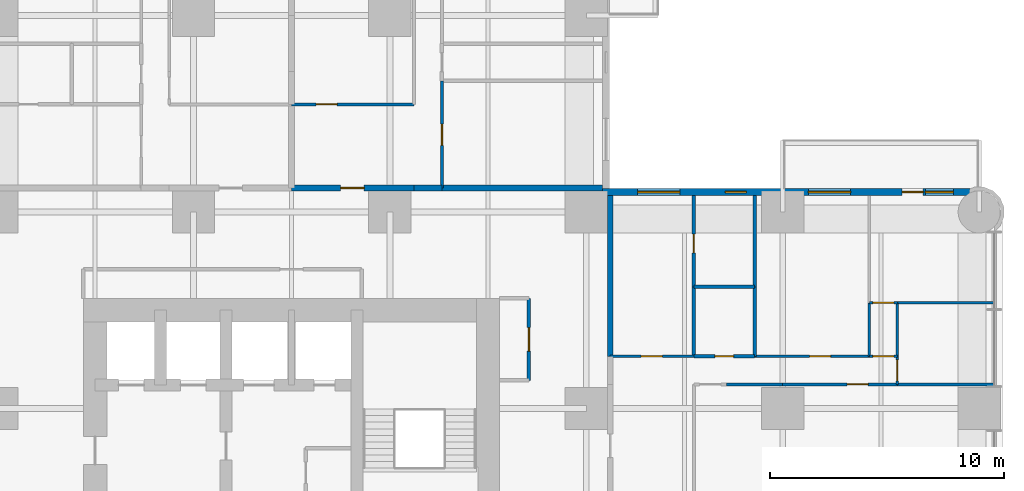
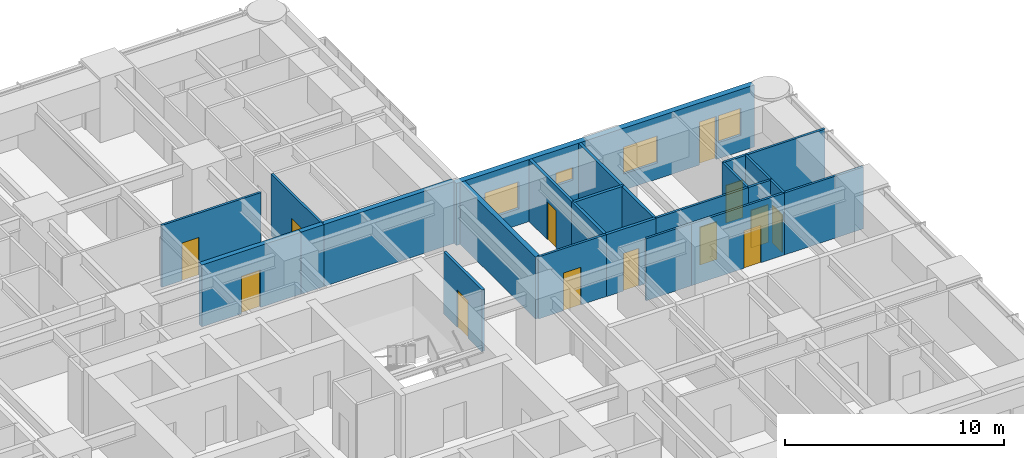
# One storey, part 14 of 17: 25 walls, 13 doors, 4 windows, 17 openings.
"""IFC4 building model written with IfcOpenShell, lengths in metres."""

from ifc_helpers import new_model, si_unit, direction, frame, frame_2d, origin, place, context, subcontext, project, spatial, rectangle, extrude, material, layer, layer_set, type_object, element, fill, save


model = new_model("IFC4")

# Units and contexts
model_context = context("Model", 3, precision=1e-05, world=origin(), true_north=direction((0.0, 1.0)))
body_context = subcontext(model_context, "Body", "Model", "MODEL_VIEW")
ifc_project = project(units=[si_unit("LENGTHUNIT", "METRE"), si_unit("AREAUNIT", "SQUARE_METRE"), si_unit("VOLUMEUNIT", "CUBIC_METRE"), si_unit("PLANEANGLEUNIT", "RADIAN"), si_unit("MASSUNIT", "GRAM", prefix="KILO")], contexts=[model_context])

# Site, building, storey
site_placement = place(None, origin())
site = spatial("IfcSite", under=ifc_project, at=site_placement, CompositionType="ELEMENT")
building_placement = place(site_placement, origin())
building = spatial("IfcBuilding", under=site, at=building_placement, Name="Torre Alcanfor", CompositionType="ELEMENT")
storey_placement = place(building_placement, frame((0.0, 0.0, 48.89990234375)))
storey = spatial("IfcBuildingStorey", under=building, at=storey_placement, Name="L11", CompositionType="ELEMENT", Elevation=48.89990234375)

# Wall, opening, door
ifc_material_1 = material(Name="Concrete block masonry, hollow blocks NMX-C-404 9 MPa", Category="masonry")
ifc_layer_1 = layer(ifc_material_1, 0.25)
ifc_layer_set_1 = layer_set([ifc_layer_1], Name="Apartment entrance wall 250 EI 60")
wall_type_1 = type_object("IfcWallType", Name="Apartment entrance wall 250 EI 60", PredefinedType="PARTITIONING", material=ifc_layer_set_1)
wall_1_placement = place(storey_placement, frame((29.39990234375, 43.02490234375, 0.0), z_axis=(0.0, 0.0, 1.0), x_axis=(1.0, 0.0, 0.0)))
wall_1 = element("IfcWall", 1, at=wall_1_placement, inside=storey, type_object=wall_type_1, Name="Partition L11-CORR / L11-N2-ZAG", PredefinedType="PARTITIONING", context=body_context, shape_type="SweptSolid", body=[
    extrude(rectangle(XDim=5.22900390625, YDim=0.25, at=frame_2d((2.614501953125, 0.0))), origin(), (0.0, 0.0, 1.0), 3.4501953125),
])
opening_1_placement = place(wall_1_placement, frame((2.10009765625, 0.0, 0.0)))
opening_1 = element("IfcOpeningElement", 2, at=opening_1_placement, cuts=wall_1, Name="Opening D-A1", PredefinedType="OPENING", context=body_context, shape_type="SweptSolid", body=[
    extrude(rectangle(XDim=1.0, YDim=2.10009765625, at=frame_2d((0.5, 1.050048828125))), frame((0.0, 0.135009765625, 0.0), z_axis=(0.0, -1.0, 0.0), x_axis=(1.0, 0.0, 0.0)), (0.0, 0.0, 1.0), 0.27001953125),
])
ifc_material_2 = material(Name="Galvanised steel sheet ASTM A653", Category="steel")
door_type_1 = type_object("IfcDoorType", Name="Apartment entrance door FD60 1000x2100", OperationType="SINGLE_SWING_LEFT", PredefinedType="DOOR", material=ifc_material_2)
door_1_placement = place(opening_1_placement, origin())
door_1 = element("IfcDoor", 3, at=door_1_placement, inside=storey, type_object=door_type_1, Name="Apartment entrance L11-N2", OperationType="SINGLE_SWING_LEFT", OverallHeight=2.10009765625, OverallWidth=1.0, PredefinedType="DOOR", context=body_context, shape_type="SweptSolid", body=[
    extrude(rectangle(XDim=1.0, YDim=2.10009765625, at=frame_2d((0.5, 1.050048828125))), frame((0.0, 0.02490234375, 0.0), z_axis=(0.0, -1.0, 0.0), x_axis=(1.0, 0.0, 0.0)), (0.0, 0.0, 1.0), 0.050048828125),
])
fill(opening_1, door_1)

# Walls
wall_2_placement = place(storey_placement, frame((34.62890625, 43.02490234375, 0.0), z_axis=(0.0, 0.0, 1.0), x_axis=(1.0, 0.0, 0.0)))
element("IfcWall", 4, at=wall_2_placement, inside=storey, type_object=wall_type_1, Name="Partition L11-CORR / L11-N2-HALL", PredefinedType="PARTITIONING", context=body_context, shape_type="SweptSolid", body=[
    extrude(rectangle(XDim=1.2001953125, YDim=0.25, at=frame_2d((0.60009765625, 0.0))), origin(), (0.0, 0.0, 1.0), 3.4501953125),
])
for number, where, z_axis, x_axis, name in (
    (5, (35.8291015625, 43.02490234375, 0.0), (0.0, 0.0, 1.0), (1.0, 0.0, 0.0), "Partition L11-CORR / L11-N2-BED3"),
    (6, (43.02490234375, 42.699951171875, 0.0), (0.0, 0.0, 1.0), (0.0, -1.0, 0.0), "Partition L11-CORR / L11-E1-SERV"),
):
    element("IfcWall", number, at=place(storey_placement, frame(where, z_axis=z_axis, x_axis=x_axis)), inside=storey, type_object=wall_type_1, Name=name, PredefinedType="PARTITIONING", context=body_context, shape_type="SweptSolid", body=[
        extrude(rectangle(XDim=6.870849609375, YDim=0.25, at=frame_2d((3.435546875, 0.0))), origin(), (0.0, 0.0, 1.0), 3.4501953125),
    ])

# Wall, opening, door
ifc_material_3 = material(Name="Gypsum board on steel studs", Category="steel")
ifc_layer_2 = layer(ifc_material_3, 0.1201171875)
ifc_layer_set_2 = layer_set([ifc_layer_2], Name="Apartment partition 120")
wall_type_2 = type_object("IfcWallType", Name="Apartment partition 120", PredefinedType="PARTITIONING", material=ifc_layer_set_2)
wall_3_placement = place(storey_placement, frame((29.39990234375, 46.60009765625, 0.0), z_axis=(0.0, 0.0, 1.0), x_axis=(1.0, 0.0, 0.0)))
wall_3 = element("IfcWall", 7, at=wall_3_placement, inside=storey, type_object=wall_type_2, Name="Partition L11-N2-ZAG / L11-N2-KITCHEN", PredefinedType="PARTITIONING", context=body_context, shape_type="SweptSolid", body=[
    extrude(rectangle(XDim=5.22900390625, YDim=0.1201171875, at=frame_2d((2.614501953125, 0.0))), origin(), (0.0, 0.0, 1.0), 3.4501953125),
])
opening_2_placement = place(wall_3_placement, frame((1.050048828125, 0.0, 0.0)))
opening_2 = element("IfcOpeningElement", 8, at=opening_2_placement, cuts=wall_3, Name="Opening D-R1", PredefinedType="OPENING", context=body_context, shape_type="SweptSolid", body=[
    extrude(rectangle(XDim=0.89990234375, YDim=2.10009765625, at=frame_2d((0.449951171875, 1.050048828125))), frame((0.0, 0.070068359375, 0.0), z_axis=(0.0, -1.0, 0.0), x_axis=(1.0, 0.0, 0.0)), (0.0, 0.0, 1.0), 0.14013671875),
])
ifc_material_4 = material(Name="Timber", Category="wood")
door_type_2 = type_object("IfcDoorType", Name="Internal door 900x2100", OperationType="SINGLE_SWING_LEFT", PredefinedType="DOOR", material=ifc_material_4)
door_2_placement = place(opening_2_placement, origin())
door_2 = element("IfcDoor", 9, at=door_2_placement, inside=storey, type_object=door_type_2, Name="Door L11-N2 kitchen", OperationType="SINGLE_SWING_LEFT", OverallHeight=2.10009765625, OverallWidth=0.89990234375, PredefinedType="DOOR", context=body_context, shape_type="SweptSolid", body=[
    extrude(rectangle(XDim=0.89990234375, YDim=2.10009765625, at=frame_2d((0.449951171875, 1.050048828125))), frame((0.0, 0.02490234375, 0.0), z_axis=(0.0, -1.0, 0.0), x_axis=(1.0, 0.0, 0.0)), (0.0, 0.0, 1.0), 0.050048828125),
])
fill(opening_2, door_2)

wall_4_placement = place(storey_placement, frame((35.8291015625, 47.60009765625, 0.0), z_axis=(0.0, 0.0, 1.0), x_axis=(0.0, -1.0, 0.0)))
wall_4 = element("IfcWall", 10, at=wall_4_placement, inside=storey, type_object=wall_type_2, Name="Partition L11-N2-HALL / L11-N2-BED3", PredefinedType="PARTITIONING", context=body_context, shape_type="SweptSolid", body=[
    extrude(rectangle(XDim=4.5751953125, YDim=0.1201171875, at=frame_2d((2.28759765625, 0.0))), origin(), (0.0, 0.0, 1.0), 3.4501953125),
])
opening_3_placement = place(wall_4_placement, frame((1.85009765625, 0.0, 0.0)))
opening_3 = element("IfcOpeningElement", 11, at=opening_3_placement, cuts=wall_4, Name="Opening D-R1", PredefinedType="OPENING", context=body_context, shape_type="SweptSolid", body=[
    extrude(rectangle(XDim=0.89990234375, YDim=2.10009765625, at=frame_2d((0.449951171875, 1.050048828125))), frame((0.0, 0.070068359375, 0.0), z_axis=(0.0, -1.0, 0.0), x_axis=(1.0, 0.0, 0.0)), (0.0, 0.0, 1.0), 0.14013671875),
])
door_3_placement = place(opening_3_placement, origin())
door_3 = element("IfcDoor", 12, at=door_3_placement, inside=storey, type_object=door_type_2, Name="Door L11-N2 bed3", OperationType="SINGLE_SWING_RIGHT", OverallHeight=2.10009765625, OverallWidth=0.89990234375, PredefinedType="DOOR", context=body_context, shape_type="SweptSolid", body=[
    extrude(rectangle(XDim=0.89990234375, YDim=2.10009765625, at=frame_2d((0.449951171875, 1.050048828125))), frame((0.0, 0.02490234375, 0.0), z_axis=(0.0, -1.0, 0.0), x_axis=(1.0, 0.0, 0.0)), (0.0, 0.0, 1.0), 0.050048828125),
])
fill(opening_3, door_3)

# Wall
wall_5_placement = place(storey_placement, frame((50.39990234375, 34.62890625, 0.0), z_axis=(0.0, 0.0, 1.0), x_axis=(-1.0, 0.0, 0.0)))
element("IfcWall", 13, at=wall_5_placement, inside=storey, type_object=wall_type_2, Name="Partition L11-E1-KITCHEN / L11-E1-HALL", PredefinedType="PARTITIONING", context=body_context, shape_type="SweptSolid", body=[
    extrude(rectangle(XDim=2.39990234375, YDim=0.1201171875, at=frame_2d((1.199951171875, 0.0))), origin(), (0.0, 0.0, 1.0), 3.4501953125),
])

# Wall, opening, door
wall_6_placement = place(storey_placement, frame((55.300048828125, 34.62890625, 0.0), z_axis=(0.0, 0.0, 1.0), x_axis=(-1.0, 0.0, 0.0)))
wall_6 = element("IfcWall", 14, at=wall_6_placement, inside=storey, type_object=wall_type_2, Name="Partition L11-E1-LIVING / L11-E1-HALL", PredefinedType="PARTITIONING", context=body_context, shape_type="SweptSolid", body=[
    extrude(rectangle(XDim=4.900146484375, YDim=0.1201171875, at=frame_2d((2.4501953125, 0.0))), origin(), (0.0, 0.0, 1.0), 3.4501953125),
])
opening_4_placement = place(wall_6_placement, frame((1.25, 0.0, 0.0)))
opening_4 = element("IfcOpeningElement", 15, at=opening_4_placement, cuts=wall_6, Name="Opening D-R1", PredefinedType="OPENING", context=body_context, shape_type="SweptSolid", body=[
    extrude(rectangle(XDim=0.89990234375, YDim=2.10009765625, at=frame_2d((0.449951171875, 1.050048828125))), frame((0.0, 0.070068359375, 0.0), z_axis=(0.0, -1.0, 0.0), x_axis=(1.0, 0.0, 0.0)), (0.0, 0.0, 1.0), 0.14013671875),
])
door_4_placement = place(opening_4_placement, origin())
door_4 = element("IfcDoor", 16, at=door_4_placement, inside=storey, type_object=door_type_2, Name="Door L11-E1 living", OperationType="SINGLE_SWING_RIGHT", OverallHeight=2.10009765625, OverallWidth=0.89990234375, PredefinedType="DOOR", context=body_context, shape_type="SweptSolid", body=[
    extrude(rectangle(XDim=0.89990234375, YDim=2.10009765625, at=frame_2d((0.449951171875, 1.050048828125))), frame((0.0, 0.02490234375, 0.0), z_axis=(0.0, -1.0, 0.0), x_axis=(1.0, 0.0, 0.0)), (0.0, 0.0, 1.0), 0.050048828125),
])
fill(opening_4, door_4)

# Wall
wall_7_placement = place(storey_placement, frame((59.449951171875, 34.62890625, 0.0), z_axis=(0.0, 0.0, 1.0), x_axis=(-1.0, 0.0, 0.0)))
element("IfcWall", 17, at=wall_7_placement, inside=storey, type_object=wall_type_2, Name="Partition L11-E1-LIVING / L11-E1-BED2", PredefinedType="PARTITIONING", context=body_context, shape_type="SweptSolid", body=[
    extrude(rectangle(XDim=4.14990234375, YDim=0.1201171875, at=frame_2d((2.074951171875, 0.0))), origin(), (0.0, 0.0, 1.0), 3.4501953125),
])

# Wall, opening, door
wall_8_placement = place(storey_placement, frame((46.60009765625, 35.8291015625, 0.0), z_axis=(0.0, 0.0, 1.0), x_axis=(-1.0, 0.0, 0.0)))
wall_8 = element("IfcWall", 18, at=wall_8_placement, inside=storey, type_object=wall_type_2, Name="Partition L11-E1-HALL / L11-E1-SERV", PredefinedType="PARTITIONING", context=body_context, shape_type="SweptSolid", body=[
    extrude(rectangle(XDim=3.5751953125, YDim=0.1201171875, at=frame_2d((1.78759765625, 0.0))), origin(), (0.0, 0.0, 1.0), 3.4501953125),
])
opening_5_placement = place(wall_8_placement, frame((1.35009765625, 0.0, 0.0)))
opening_5 = element("IfcOpeningElement", 19, at=opening_5_placement, cuts=wall_8, Name="Opening D-R1", PredefinedType="OPENING", context=body_context, shape_type="SweptSolid", body=[
    extrude(rectangle(XDim=0.89990234375, YDim=2.10009765625, at=frame_2d((0.449951171875, 1.050048828125))), frame((0.0, 0.070068359375, 0.0), z_axis=(0.0, -1.0, 0.0), x_axis=(1.0, 0.0, 0.0)), (0.0, 0.0, 1.0), 0.14013671875),
])
door_5_placement = place(opening_5_placement, frame((0.89990234375, 0.0, 0.0), z_axis=(0.0, 0.0, 1.0), x_axis=(-1.0, 0.0, 0.0)))
door_5 = element("IfcDoor", 20, at=door_5_placement, inside=storey, type_object=door_type_2, Name="Door L11-E1 serv", OperationType="SINGLE_SWING_LEFT", OverallHeight=2.10009765625, OverallWidth=0.89990234375, PredefinedType="DOOR", context=body_context, shape_type="SweptSolid", body=[
    extrude(rectangle(XDim=0.89990234375, YDim=2.10009765625, at=frame_2d((0.449951171875, 1.050048828125))), frame((0.0, 0.025146484375, 0.0), z_axis=(0.0, -1.0, 0.0), x_axis=(1.0, 0.0, 0.0)), (0.0, 0.0, 1.0), 0.050048828125),
])
fill(opening_5, door_5)

wall_9_placement = place(storey_placement, frame((54.10009765625, 35.8291015625, 0.0), z_axis=(0.0, 0.0, 1.0), x_axis=(-1.0, 0.0, 0.0)))
wall_9 = element("IfcWall", 21, at=wall_9_placement, inside=storey, type_object=wall_type_2, Name="Partition L11-E1-HALL / L11-E1-BED3", PredefinedType="PARTITIONING", context=body_context, shape_type="SweptSolid", body=[
    extrude(rectangle(XDim=4.900146484375, YDim=0.1201171875, at=frame_2d((2.4501953125, 0.0))), origin(), (0.0, 0.0, 1.0), 3.4501953125),
])
opening_6_placement = place(wall_9_placement, frame((1.64990234375, 0.0, 0.0)))
opening_6 = element("IfcOpeningElement", 22, at=opening_6_placement, cuts=wall_9, Name="Opening D-R1", PredefinedType="OPENING", context=body_context, shape_type="SweptSolid", body=[
    extrude(rectangle(XDim=0.89990234375, YDim=2.10009765625, at=frame_2d((0.449951171875, 1.050048828125))), frame((0.0, 0.070068359375, 0.0), z_axis=(0.0, -1.0, 0.0), x_axis=(1.0, 0.0, 0.0)), (0.0, 0.0, 1.0), 0.14013671875),
])
door_6_placement = place(opening_6_placement, frame((0.89990234375, 0.0, 0.0), z_axis=(0.0, 0.0, 1.0), x_axis=(-1.0, 0.0, 0.0)))
door_6 = element("IfcDoor", 23, at=door_6_placement, inside=storey, type_object=door_type_2, Name="Door L11-E1 bed3", OperationType="SINGLE_SWING_RIGHT", OverallHeight=2.10009765625, OverallWidth=0.89990234375, PredefinedType="DOOR", context=body_context, shape_type="SweptSolid", body=[
    extrude(rectangle(XDim=0.89990234375, YDim=2.10009765625, at=frame_2d((0.449951171875, 1.050048828125))), frame((0.0, 0.025146484375, 0.0), z_axis=(0.0, -1.0, 0.0), x_axis=(1.0, 0.0, 0.0)), (0.0, 0.0, 1.0), 0.050048828125),
])
fill(opening_6, door_6)

wall_10_placement = place(storey_placement, frame((55.300048828125, 35.8291015625, 0.0), z_axis=(0.0, 0.0, 1.0), x_axis=(-1.0, 0.0, 0.0)))
wall_10 = element("IfcWall", 24, at=wall_10_placement, inside=storey, type_object=wall_type_2, Name="Partition L11-E1-HALL / L11-E1-VEST", PredefinedType="PARTITIONING", context=body_context, shape_type="SweptSolid", body=[
    extrude(rectangle(XDim=1.199951171875, YDim=0.1201171875, at=frame_2d((0.60009765625, 0.0))), origin(), (0.0, 0.0, 1.0), 3.4501953125),
])
opening_7_placement = place(wall_10_placement, frame((0.14990234375, 0.0, 0.0)))
opening_7 = element("IfcOpeningElement", 25, at=opening_7_placement, cuts=wall_10, Name="Opening D-R1", PredefinedType="OPENING", context=body_context, shape_type="SweptSolid", body=[
    extrude(rectangle(XDim=0.89990234375, YDim=2.10009765625, at=frame_2d((0.449951171875, 1.050048828125))), frame((0.0, 0.070068359375, 0.0), z_axis=(0.0, -1.0, 0.0), x_axis=(1.0, 0.0, 0.0)), (0.0, 0.0, 1.0), 0.14013671875),
])
door_7_placement = place(opening_7_placement, frame((0.89990234375, 0.0, 0.0), z_axis=(0.0, 0.0, 1.0), x_axis=(-1.0, 0.0, 0.0)))
door_7 = element("IfcDoor", 26, at=door_7_placement, inside=storey, type_object=door_type_2, Name="Door L11-E1 vest", OperationType="SINGLE_SWING_RIGHT", OverallHeight=2.10009765625, OverallWidth=0.89990234375, PredefinedType="DOOR", context=body_context, shape_type="SweptSolid", body=[
    extrude(rectangle(XDim=0.89990234375, YDim=2.10009765625, at=frame_2d((0.449951171875, 1.050048828125))), frame((0.0, 0.025146484375, 0.0), z_axis=(0.0, -1.0, 0.0), x_axis=(1.0, 0.0, 0.0)), (0.0, 0.0, 1.0), 0.050048828125),
])
fill(opening_7, door_7)

wall_11_placement = place(storey_placement, frame((55.300048828125, 34.62890625, 0.0), z_axis=(0.0, 0.0, 1.0), x_axis=(0.0, 1.0, 0.0)))
wall_11 = element("IfcWall", 27, at=wall_11_placement, inside=storey, type_object=wall_type_2, Name="Partition L11-E1-HALL / L11-E1-BED2", PredefinedType="PARTITIONING", context=body_context, shape_type="SweptSolid", body=[
    extrude(rectangle(XDim=1.2001953125, YDim=0.1201171875, at=frame_2d((0.60009765625, 0.0))), origin(), (0.0, 0.0, 1.0), 3.4501953125),
])
opening_8_placement = place(wall_11_placement, frame((0.15087890625, 0.0, 0.0)))
opening_8 = element("IfcOpeningElement", 28, at=opening_8_placement, cuts=wall_11, Name="Opening D-R1", PredefinedType="OPENING", context=body_context, shape_type="SweptSolid", body=[
    extrude(rectangle(XDim=0.89990234375, YDim=2.10009765625, at=frame_2d((0.449951171875, 1.050048828125))), frame((0.0, 0.070068359375, 0.0), z_axis=(0.0, -1.0, 0.0), x_axis=(1.0, 0.0, 0.0)), (0.0, 0.0, 1.0), 0.14013671875),
])
door_8_placement = place(opening_8_placement, frame((0.89990234375, 0.0, 0.0), z_axis=(0.0, 0.0, 1.0), x_axis=(-1.0, 0.0, 0.0)))
door_8 = element("IfcDoor", 29, at=door_8_placement, inside=storey, type_object=door_type_2, Name="Door L11-E1 bed2", OperationType="SINGLE_SWING_RIGHT", OverallHeight=2.10009765625, OverallWidth=0.89990234375, PredefinedType="DOOR", context=body_context, shape_type="SweptSolid", body=[
    extrude(rectangle(XDim=0.89990234375, YDim=2.10009765625, at=frame_2d((0.449951171875, 1.050048828125))), frame((0.0, 0.025146484375, 0.0), z_axis=(0.0, -1.0, 0.0), x_axis=(1.0, 0.0, 0.0)), (0.0, 0.0, 1.0), 0.050048828125),
])
fill(opening_8, door_8)

# Walls
for number, where, z_axis, x_axis, name in (
    (30, (54.10009765625, 35.8291015625, 0.0), (0.0, 0.0, 1.0), (0.0, 1.0, 0.0), "Partition L11-E1-BED3 / L11-E1-VEST"),
    (31, (55.300048828125, 35.8291015625, 0.0), (0.0, 0.0, 1.0), (0.0, 1.0, 0.0), "Partition L11-E1-VEST / L11-E1-BED2"),
):
    element("IfcWall", number, at=place(storey_placement, frame(where, z_axis=z_axis, x_axis=x_axis)), inside=storey, type_object=wall_type_2, Name=name, PredefinedType="PARTITIONING", context=body_context, shape_type="SweptSolid", body=[
        extrude(rectangle(XDim=2.284912109375, YDim=0.1201171875, at=frame_2d((1.142578125, 0.0))), origin(), (0.0, 0.0, 1.0), 3.4501953125),
    ])

# Wall, opening, door
wall_12_placement = place(storey_placement, frame((55.300048828125, 38.114013671875, 0.0), z_axis=(0.0, 0.0, 1.0), x_axis=(-1.0, 0.0, 0.0)))
wall_12 = element("IfcWall", 32, at=wall_12_placement, inside=storey, type_object=wall_type_2, Name="Partition L11-E1-VEST / L11-E1-MASTER", PredefinedType="PARTITIONING", context=body_context, shape_type="SweptSolid", body=[
    extrude(rectangle(XDim=1.199951171875, YDim=0.1201171875, at=frame_2d((0.60009765625, 0.0))), origin(), (0.0, 0.0, 1.0), 3.4501953125),
])
opening_9_placement = place(wall_12_placement, frame((0.14990234375, 0.0, 0.0)))
opening_9 = element("IfcOpeningElement", 33, at=opening_9_placement, cuts=wall_12, Name="Opening D-R1", PredefinedType="OPENING", context=body_context, shape_type="SweptSolid", body=[
    extrude(rectangle(XDim=0.89990234375, YDim=2.10009765625, at=frame_2d((0.449951171875, 1.050048828125))), frame((0.0, 0.070068359375, 0.0), z_axis=(0.0, -1.0, 0.0), x_axis=(1.0, 0.0, 0.0)), (0.0, 0.0, 1.0), 0.14013671875),
])
door_9_placement = place(opening_9_placement, origin())
door_9 = element("IfcDoor", 34, at=door_9_placement, inside=storey, type_object=door_type_2, Name="Door L11-E1 master", OperationType="SINGLE_SWING_LEFT", OverallHeight=2.10009765625, OverallWidth=0.89990234375, PredefinedType="DOOR", context=body_context, shape_type="SweptSolid", body=[
    extrude(rectangle(XDim=0.89990234375, YDim=2.10009765625, at=frame_2d((0.449951171875, 1.050048828125))), frame((0.0, 0.02490234375, 0.0), z_axis=(0.0, -1.0, 0.0), x_axis=(1.0, 0.0, 0.0)), (0.0, 0.0, 1.0), 0.050048828125),
])
fill(opening_9, door_9)

# Wall
wall_13_placement = place(storey_placement, frame((59.449951171875, 38.114013671875, 0.0), z_axis=(0.0, 0.0, 1.0), x_axis=(-1.0, 0.0, 0.0)))
element("IfcWall", 35, at=wall_13_placement, inside=storey, type_object=wall_type_2, Name="Partition L11-E1-BED2 / L11-E1-MASTER", PredefinedType="PARTITIONING", context=body_context, shape_type="SweptSolid", body=[
    extrude(rectangle(XDim=4.14990234375, YDim=0.1201171875, at=frame_2d((2.074951171875, 0.0))), origin(), (0.0, 0.0, 1.0), 3.4501953125),
])

# Wall, openings, door, windows
ifc_material_5 = material(Name="Limestone cladding", Category="masonry")
ifc_layer_3 = layer(ifc_material_5, 0.0400390625, Name="Facing")
ifc_material_6 = material(Name="Ventilated air cavity")
ifc_layer_4 = layer(ifc_material_6, 0.02001953125, ventilated=True, Name="Ventilated joint")
ifc_material_7 = material(Name="Mineral wool insulation", Category="insulation")
ifc_layer_5 = layer(ifc_material_7, 0.10009765625, Name="Insulation")
ifc_material_8 = material(Name="Concrete f'c 35 MPa", Category="concrete")
ifc_layer_6 = layer(ifc_material_8, 0.139892578125, Name="Backing")
ifc_layer_set_3 = layer_set([ifc_layer_3, ifc_layer_4, ifc_layer_5, ifc_layer_6], Name="External wall stone-clad 300")
wall_type_3 = type_object("IfcWallType", Name="External wall stone-clad 300", PredefinedType="SOLIDWALL", material=ifc_layer_set_3)
wall_14_placement = place(storey_placement, frame((58.39990234375, 42.85009765625, 0.0), z_axis=(0.0, 0.0, 1.0), x_axis=(-1.0, 0.0, 0.0)))
wall_14 = element("IfcWall", 36, at=wall_14_placement, inside=storey, type_object=wall_type_3, Name="External wall L11 9", PredefinedType="SOLIDWALL", context=body_context, shape_type="SweptSolid", body=[
    extrude(rectangle(XDim=15.699951171875, YDim=0.300048828125, at=frame_2d((7.85009765625, 0.0))), origin(), (0.0, 0.0, 1.0), 3.4501953125),
])
opening_10_placement = place(wall_14_placement, frame((12.39990234375, 0.0, 0.89990234375)))
opening_10 = element("IfcOpeningElement", 37, at=opening_10_placement, cuts=wall_14, Name="Opening W2", PredefinedType="OPENING", context=body_context, shape_type="SweptSolid", body=[
    extrude(rectangle(XDim=1.800048828125, YDim=1.5, at=frame_2d((0.89990234375, 0.75))), frame((0.0, 0.159912109375, 0.0), z_axis=(0.0, -1.0, 0.0), x_axis=(1.0, 0.0, 0.0)), (0.0, 0.0, 1.0), 0.320068359375),
])
opening_11_placement = place(wall_14_placement, frame((9.550048828125, 0.0, 1.5)))
opening_11 = element("IfcOpeningElement", 38, at=opening_11_placement, cuts=wall_14, Name="Opening W3", PredefinedType="OPENING", context=body_context, shape_type="SweptSolid", body=[
    extrude(rectangle(XDim=0.89990234375, YDim=0.699951171875, at=frame_2d((0.449951171875, 0.35009765625))), frame((0.0, 0.159912109375, 0.0), z_axis=(0.0, -1.0, 0.0), x_axis=(1.0, 0.0, 0.0)), (0.0, 0.0, 1.0), 0.320068359375),
])
opening_12_placement = place(wall_14_placement, frame((5.10009765625, 0.0, 0.89990234375)))
opening_12 = element("IfcOpeningElement", 39, at=opening_12_placement, cuts=wall_14, Name="Opening W2", PredefinedType="OPENING", context=body_context, shape_type="SweptSolid", body=[
    extrude(rectangle(XDim=1.800048828125, YDim=1.5, at=frame_2d((0.89990234375, 0.75))), frame((0.0, 0.159912109375, 0.0), z_axis=(0.0, -1.0, 0.0), x_axis=(1.0, 0.0, 0.0)), (0.0, 0.0, 1.0), 0.320068359375),
])
opening_13_placement = place(wall_14_placement, frame((2.0, 0.0, 0.0)))
opening_13 = element("IfcOpeningElement", 40, at=opening_13_placement, cuts=wall_14, Name="Opening D-B1", PredefinedType="OPENING", context=body_context, shape_type="SweptSolid", body=[
    extrude(rectangle(XDim=0.89990234375, YDim=2.39990234375, at=frame_2d((0.449951171875, 1.199951171875))), frame((0.0, 0.159912109375, 0.0), z_axis=(0.0, -1.0, 0.0), x_axis=(1.0, 0.0, 0.0)), (0.0, 0.0, 1.0), 0.320068359375),
])
opening_14_placement = place(wall_14_placement, frame((0.699951171875, 0.0, 0.89990234375)))
opening_14 = element("IfcOpeningElement", 41, at=opening_14_placement, cuts=wall_14, Name="Opening W4", PredefinedType="OPENING", context=body_context, shape_type="SweptSolid", body=[
    extrude(rectangle(XDim=1.199951171875, YDim=1.5, at=frame_2d((0.60009765625, 0.75))), frame((0.0, 0.159912109375, 0.0), z_axis=(0.0, -1.0, 0.0), x_axis=(1.0, 0.0, 0.0)), (0.0, 0.0, 1.0), 0.320068359375),
])
ifc_material_9 = material(Name="Aluminium and glass", Category="aluminium")
door_type_3 = type_object("IfcDoorType", Name="Balcony door glazed 900x2400", OperationType="SINGLE_SWING_LEFT", PredefinedType="DOOR", material=ifc_material_9)
door_10_placement = place(opening_13_placement, origin())
door_10 = element("IfcDoor", 42, at=door_10_placement, inside=storey, type_object=door_type_3, Name="Balcony door L11-E1", OperationType="SINGLE_SWING_RIGHT", OverallHeight=2.39990234375, OverallWidth=0.89990234375, PredefinedType="DOOR", context=body_context, shape_type="SweptSolid", body=[
    extrude(rectangle(XDim=0.89990234375, YDim=2.39990234375, at=frame_2d((0.449951171875, 1.199951171875))), frame((0.0, 0.02490234375, 0.0), z_axis=(0.0, -1.0, 0.0), x_axis=(1.0, 0.0, 0.0)), (0.0, 0.0, 1.0), 0.050048828125),
])
fill(opening_13, door_10)
ifc_material_10 = material(Name="Aluminium frame with clear double glazing", Category="aluminium")
window_type_1 = type_object("IfcWindowType", Name="Window bathroom 900x700", PartitioningType="SINGLE_PANEL", PredefinedType="WINDOW", material=ifc_material_10)
window_1_placement = place(opening_11_placement, origin())
window_1 = element("IfcWindow", 43, at=window_1_placement, inside=storey, type_object=window_type_1, Name="Window W3 L11-E1", OverallHeight=0.699951171875, OverallWidth=0.89990234375, PartitioningType="SINGLE_PANEL", PredefinedType="WINDOW", context=body_context, shape_type="SweptSolid", body=[
    extrude(rectangle(XDim=0.89990234375, YDim=0.699951171875, at=frame_2d((0.449951171875, 0.35009765625))), frame((0.0, 0.030029296875, 0.0), z_axis=(0.0, -1.0, 0.0), x_axis=(1.0, 0.0, 0.0)), (0.0, 0.0, 1.0), 0.06005859375),
])
fill(opening_11, window_1)
ifc_material_11 = material(Name="Aluminium frame with clear double glazing", Category="aluminium")
window_type_2 = type_object("IfcWindowType", Name="Window bedroom 1200x1500", PartitioningType="SINGLE_PANEL", PredefinedType="WINDOW", material=ifc_material_11)
window_2_placement = place(opening_14_placement, origin())
window_2 = element("IfcWindow", 44, at=window_2_placement, inside=storey, type_object=window_type_2, Name="Window W4 L11-E1", OverallHeight=1.5, OverallWidth=1.199951171875, PartitioningType="SINGLE_PANEL", PredefinedType="WINDOW", context=body_context, shape_type="SweptSolid", body=[
    extrude(rectangle(XDim=1.199951171875, YDim=1.5, at=frame_2d((0.60009765625, 0.75))), frame((0.0, 0.030029296875, 0.0), z_axis=(0.0, -1.0, 0.0), x_axis=(1.0, 0.0, 0.0)), (0.0, 0.0, 1.0), 0.06005859375),
])
fill(opening_14, window_2)
ifc_material_12 = material(Name="Aluminium frame with clear double glazing", Category="aluminium")
window_type_3 = type_object("IfcWindowType", Name="Window bedroom 1800x1500", PartitioningType="SINGLE_PANEL", PredefinedType="WINDOW", material=ifc_material_12)
window_3_placement = place(opening_10_placement, origin())
window_3 = element("IfcWindow", 45, at=window_3_placement, inside=storey, type_object=window_type_3, Name="Window W2 L11-E1", OverallHeight=1.5, OverallWidth=1.800048828125, PartitioningType="SINGLE_PANEL", PredefinedType="WINDOW", context=body_context, shape_type="SweptSolid", body=[
    extrude(rectangle(XDim=1.800048828125, YDim=1.5, at=frame_2d((0.89990234375, 0.75))), frame((0.0, 0.030029296875, 0.0), z_axis=(0.0, -1.0, 0.0), x_axis=(1.0, 0.0, 0.0)), (0.0, 0.0, 1.0), 0.06005859375),
])
fill(opening_10, window_3)
window_4_placement = place(opening_12_placement, origin())
window_4 = element("IfcWindow", 46, at=window_4_placement, inside=storey, type_object=window_type_3, Name="Window W2 L11-E1", OverallHeight=1.5, OverallWidth=1.800048828125, PartitioningType="SINGLE_PANEL", PredefinedType="WINDOW", context=body_context, shape_type="SweptSolid", body=[
    extrude(rectangle(XDim=1.800048828125, YDim=1.5, at=frame_2d((0.89990234375, 0.75))), frame((0.0, 0.030029296875, 0.0), z_axis=(0.0, -1.0, 0.0), x_axis=(1.0, 0.0, 0.0)), (0.0, 0.0, 1.0), 0.06005859375),
])
fill(opening_12, window_4)

# Wall, opening, door
ifc_material_13 = material(Name="Concrete block masonry, hollow blocks NMX-C-404 9 MPa", Category="masonry")
ifc_layer_7 = layer(ifc_material_13, 0.14990234375)
ifc_layer_set_4 = layer_set([ifc_layer_7], Name="Residents' room partition 150")
wall_type_4 = type_object("IfcWallType", Name="Residents' room partition 150", PredefinedType="PARTITIONING", material=ifc_layer_set_4)
wall_15_placement = place(storey_placement, frame((39.550048828125, 34.800048828125, 0.0), z_axis=(0.0, 0.0, 1.0), x_axis=(0.0, 1.0, 0.0)))
wall_15 = element("IfcWall", 47, at=wall_15_placement, inside=storey, type_object=wall_type_4, Name="Partition L11-CORR / L11-G03", PredefinedType="PARTITIONING", context=body_context, shape_type="SweptSolid", body=[
    extrude(rectangle(XDim=3.5, YDim=0.14990234375, at=frame_2d((1.75, 0.0))), origin(), (0.0, 0.0, 1.0), 3.4501953125),
])
opening_15_placement = place(wall_15_placement, frame((1.25, 0.0, 0.0)))
opening_15 = element("IfcOpeningElement", 48, at=opening_15_placement, cuts=wall_15, Name="Opening D-M1", PredefinedType="OPENING", context=body_context, shape_type="SweptSolid", body=[
    extrude(rectangle(XDim=1.0, YDim=2.10009765625, at=frame_2d((0.5, 1.050048828125))), frame((0.0, 0.0849609375, 0.0), z_axis=(0.0, -1.0, 0.0), x_axis=(1.0, 0.0, 0.0)), (0.0, 0.0, 1.0), 0.169921875),
])
ifc_material_14 = material(Name="Timber", Category="wood")
door_type_4 = type_object("IfcDoorType", Name="Residents' room door 1000x2100", OperationType="SINGLE_SWING_LEFT", PredefinedType="DOOR", material=ifc_material_14)
door_11_placement = place(opening_15_placement, origin())
door_11 = element("IfcDoor", 49, at=door_11_placement, inside=storey, type_object=door_type_4, Name="Door L11-G03 parcel room", OperationType="SINGLE_SWING_LEFT", OverallHeight=2.10009765625, OverallWidth=1.0, PredefinedType="DOOR", context=body_context, shape_type="SweptSolid", body=[
    extrude(rectangle(XDim=1.0, YDim=2.10009765625, at=frame_2d((0.5, 1.050048828125))), frame((0.0, 0.02490234375, 0.0), z_axis=(0.0, -1.0, 0.0), x_axis=(1.0, 0.0, 0.0)), (0.0, 0.0, 1.0), 0.050048828125),
])
fill(opening_15, door_11)

ifc_material_15 = material(Name="Cement board on steel studs", Category="steel")
ifc_layer_8 = layer(ifc_material_15, 0.14990234375)
ifc_layer_set_5 = layer_set([ifc_layer_8], Name="Wet area partition 150")
wall_type_5 = type_object("IfcWallType", Name="Wet area partition 150", PredefinedType="PARTITIONING", material=ifc_layer_set_5)
wall_16_placement = place(storey_placement, frame((49.199951171875, 35.8291015625, 0.0), z_axis=(0.0, 0.0, 1.0), x_axis=(-1.0, 0.0, 0.0)))
wall_16 = element("IfcWall", 50, at=wall_16_placement, inside=storey, type_object=wall_type_5, Name="Partition L11-E1-HALL / L11-E1-BATH1", PredefinedType="PARTITIONING", context=body_context, shape_type="SweptSolid", body=[
    extrude(rectangle(XDim=2.599853515625, YDim=0.14990234375, at=frame_2d((1.2998046875, 0.0))), origin(), (0.0, 0.0, 1.0), 3.4501953125),
])
opening_16_placement = place(wall_16_placement, frame((0.89990234375, 0.0, 0.0)))
opening_16 = element("IfcOpeningElement", 51, at=opening_16_placement, cuts=wall_16, Name="Opening D-R2", PredefinedType="OPENING", context=body_context, shape_type="SweptSolid", body=[
    extrude(rectangle(XDim=0.800048828125, YDim=2.10009765625, at=frame_2d((0.39990234375, 1.050048828125))), frame((0.0, 0.0849609375, 0.0), z_axis=(0.0, -1.0, 0.0), x_axis=(1.0, 0.0, 0.0)), (0.0, 0.0, 1.0), 0.169921875),
])
ifc_material_16 = material(Name="Timber", Category="wood")
door_type_5 = type_object("IfcDoorType", Name="Bathroom door 800x2100", OperationType="SINGLE_SWING_LEFT", PredefinedType="DOOR", material=ifc_material_16)
door_12_placement = place(opening_16_placement, frame((0.800048828125, 0.0, 0.0), z_axis=(0.0, 0.0, 1.0), x_axis=(-1.0, 0.0, 0.0)))
door_12 = element("IfcDoor", 52, at=door_12_placement, inside=storey, type_object=door_type_5, Name="Door L11-E1 bath1", OperationType="SINGLE_SWING_RIGHT", OverallHeight=2.10009765625, OverallWidth=0.800048828125, PredefinedType="DOOR", context=body_context, shape_type="SweptSolid", body=[
    extrude(rectangle(XDim=0.800048828125, YDim=2.10009765625, at=frame_2d((0.400146484375, 1.050048828125))), frame((0.0, 0.025146484375, 0.0), z_axis=(0.0, -1.0, 0.0), x_axis=(1.0, 0.0, 0.0)), (0.0, 0.0, 1.0), 0.050048828125),
])
fill(opening_16, door_12)

# Wall
wall_17_placement = place(storey_placement, frame((46.60009765625, 35.8291015625, 0.0), z_axis=(0.0, 0.0, 1.0), x_axis=(0.0, 1.0, 0.0)))
element("IfcWall", 53, at=wall_17_placement, inside=storey, type_object=wall_type_5, Name="Partition L11-E1-SERV / L11-E1-BATH1", PredefinedType="PARTITIONING", context=body_context, shape_type="SweptSolid", body=[
    extrude(rectangle(XDim=2.970947265625, YDim=0.14990234375, at=frame_2d((1.4853515625, 0.0))), origin(), (0.0, 0.0, 1.0), 3.4501953125),
])

# Wall, opening, door
wall_18_placement = place(storey_placement, frame((46.60009765625, 38.800048828125, 0.0), z_axis=(0.0, 0.0, 1.0), x_axis=(0.0, 1.0, 0.0)))
wall_18 = element("IfcWall", 54, at=wall_18_placement, inside=storey, type_object=wall_type_5, Name="Partition L11-E1-SERV / L11-E1-SBATH", PredefinedType="PARTITIONING", context=body_context, shape_type="SweptSolid", body=[
    extrude(rectangle(XDim=3.89990234375, YDim=0.14990234375, at=frame_2d((1.949951171875, 0.0))), origin(), (0.0, 0.0, 1.0), 3.4501953125),
])
opening_17_placement = place(wall_18_placement, frame((1.449951171875, 0.0, 0.0)))
opening_17 = element("IfcOpeningElement", 55, at=opening_17_placement, cuts=wall_18, Name="Opening D-R2", PredefinedType="OPENING", context=body_context, shape_type="SweptSolid", body=[
    extrude(rectangle(XDim=0.800048828125, YDim=2.10009765625, at=frame_2d((0.39990234375, 1.050048828125))), frame((0.0, 0.0849609375, 0.0), z_axis=(0.0, -1.0, 0.0), x_axis=(1.0, 0.0, 0.0)), (0.0, 0.0, 1.0), 0.169921875),
])
door_13_placement = place(opening_17_placement, frame((0.800048828125, 0.0, 0.0), z_axis=(0.0, 0.0, 1.0), x_axis=(-1.0, 0.0, 0.0)))
door_13 = element("IfcDoor", 56, at=door_13_placement, inside=storey, type_object=door_type_5, Name="Door L11-E1 sbath", OperationType="SINGLE_SWING_RIGHT", OverallHeight=2.10009765625, OverallWidth=0.800048828125, PredefinedType="DOOR", context=body_context, shape_type="SweptSolid", body=[
    extrude(rectangle(XDim=0.800048828125, YDim=2.10009765625, at=frame_2d((0.400146484375, 1.050048828125))), frame((0.0, 0.025146484375, 0.0), z_axis=(0.0, -1.0, 0.0), x_axis=(1.0, 0.0, 0.0)), (0.0, 0.0, 1.0), 0.050048828125),
])
fill(opening_17, door_13)

# Walls
wall_19_placement = place(storey_placement, frame((49.199951171875, 38.800048828125, 0.0), z_axis=(0.0, 0.0, 1.0), x_axis=(-1.0, 0.0, 0.0)))
element("IfcWall", 57, at=wall_19_placement, inside=storey, type_object=wall_type_5, Name="Partition L11-E1-BATH1 / L11-E1-SBATH", PredefinedType="PARTITIONING", context=body_context, shape_type="SweptSolid", body=[
    extrude(rectangle(XDim=2.599853515625, YDim=0.14990234375, at=frame_2d((1.2998046875, 0.0))), origin(), (0.0, 0.0, 1.0), 3.4501953125),
])
wall_20_placement = place(storey_placement, frame((49.199951171875, 35.8291015625, 0.0), z_axis=(0.0, 0.0, 1.0), x_axis=(0.0, 1.0, 0.0)))
element("IfcWall", 58, at=wall_20_placement, inside=storey, type_object=wall_type_5, Name="Partition L11-E1-BATH1 / L11-E1-BED3", PredefinedType="PARTITIONING", context=body_context, shape_type="SweptSolid", body=[
    extrude(rectangle(XDim=2.970947265625, YDim=0.14990234375, at=frame_2d((1.4853515625, 0.0))), origin(), (0.0, 0.0, 1.0), 3.4501953125),
])
wall_21_placement = place(storey_placement, frame((49.199951171875, 38.800048828125, 0.0), z_axis=(0.0, 0.0, 1.0), x_axis=(0.0, 1.0, 0.0)))
element("IfcWall", 59, at=wall_21_placement, inside=storey, type_object=wall_type_5, Name="Partition L11-E1-SBATH / L11-E1-BED3", PredefinedType="PARTITIONING", context=body_context, shape_type="SweptSolid", body=[
    extrude(rectangle(XDim=3.89990234375, YDim=0.14990234375, at=frame_2d((1.949951171875, 0.0))), origin(), (0.0, 0.0, 1.0), 3.4501953125),
])

save(model, "model.ifc")
